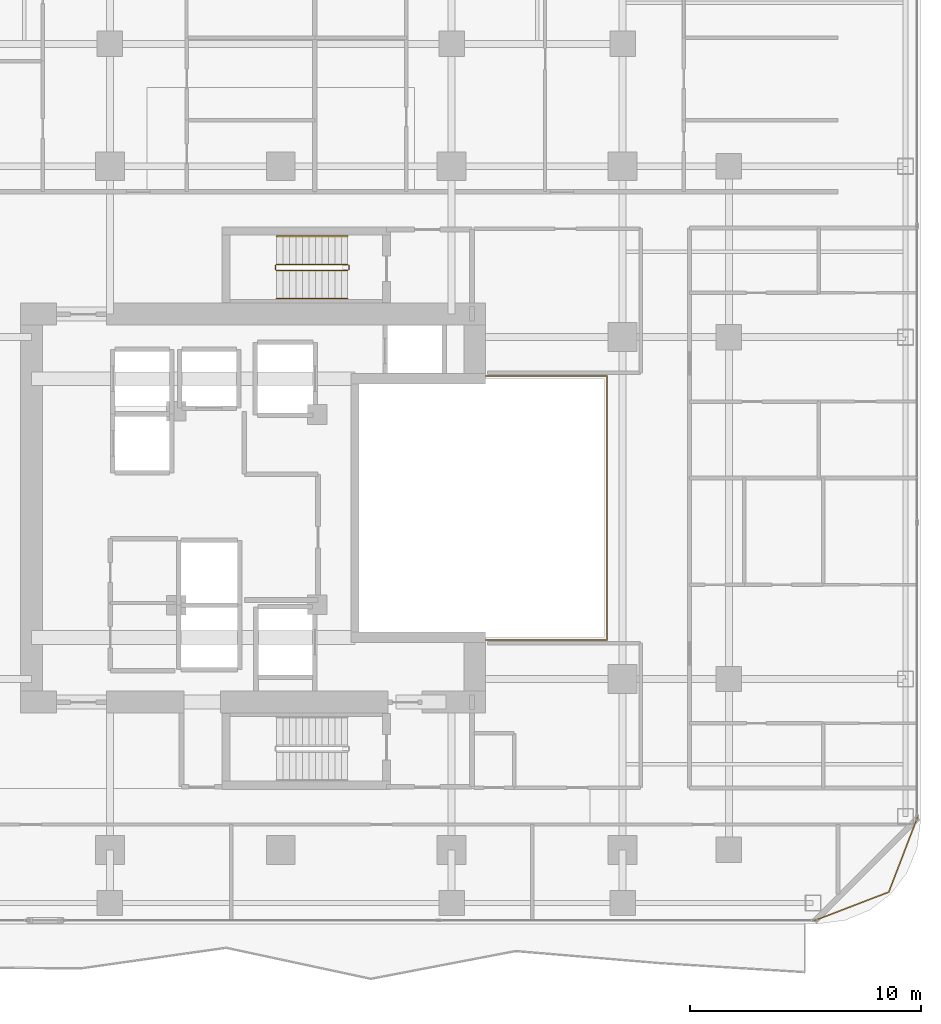
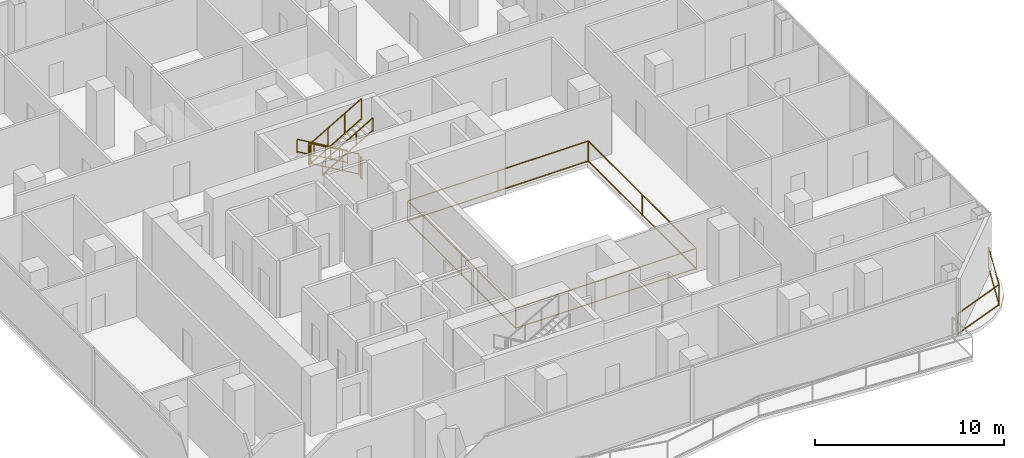
# One storey, part 26 of 27: 8 railings.
"""IFC4 building model written with IfcOpenShell, lengths in metres."""

from ifc_helpers import new_model, si_unit, direction, frame, origin, origin_2d, place, context, subcontext, project, spatial, rectangle, extrude, material, type_object, element, save


model = new_model("IFC4")

# Units and contexts
model_context = context("Model", 3, precision=1e-05, world=origin(), true_north=direction((0.0, 1.0)))
body_context = subcontext(model_context, "Body", "Model", "MODEL_VIEW")
ifc_project = project(units=[si_unit("LENGTHUNIT", "METRE"), si_unit("AREAUNIT", "SQUARE_METRE"), si_unit("VOLUMEUNIT", "CUBIC_METRE"), si_unit("PLANEANGLEUNIT", "RADIAN"), si_unit("MASSUNIT", "GRAM", prefix="KILO")], contexts=[model_context])

# Site, building, storey
site_placement = place(None, origin())
site = spatial("IfcSite", under=ifc_project, at=site_placement, CompositionType="ELEMENT")
building_placement = place(site_placement, origin())
building = spatial("IfcBuilding", under=site, at=building_placement, Name="Khorvyn Point Tower", CompositionType="ELEMENT")
storey_placement = place(building_placement, frame((0.0, 0.0, 129.0)))
storey = spatial("IfcBuildingStorey", under=building, at=storey_placement, Name="L32", CompositionType="ELEMENT", Elevation=129.0)

# Railings
ifc_material_1 = material(Name="Stainless steel 1.4401 and laminated glass", Category="steel")
railing_type_1 = type_object("IfcRailingType", Name="Crystal Atrium Smoke-Rated Perimeter Guardrail 1400", PredefinedType="GUARDRAIL", material=ifc_material_1)
railing_1_placement = place(storey_placement, frame((3.080078125, -5.719970703125, 0.0)))
element("IfcRailing", 1, at=railing_1_placement, inside=storey, type_object=railing_type_1, Name="L32 Crystal Atrium Perimeter Guardrail", PredefinedType="GUARDRAIL", context=body_context, shape_type="SweptSolid", body=[
    extrude(rectangle(XDim=0.048095703125, YDim=0.048095703125, at=origin_2d()), frame((0.0, 0.0, 1.3759765625), z_axis=(1.0, 0.0, 0.0), x_axis=(0.0, 1.0, 0.0)), (0.0, 0.0, 1.0), 11.0400390625),
    extrude(rectangle(XDim=0.048095703125, YDim=0.048095703125, at=origin_2d()), frame((0.0, 0.0, 0.080078125), z_axis=(1.0, 0.0, 0.0), x_axis=(0.0, 1.0, 0.0)), (0.0, 0.0, 1.0), 11.0400390625),
    extrude(rectangle(XDim=0.048095703125, YDim=0.048095703125, at=origin_2d()), frame((11.0400390625, 0.0, 1.3759765625), z_axis=(0.0, 1.0, 0.0), x_axis=(-1.0, 0.0, 0.0)), (0.0, 0.0, 1.0), 11.43994140625),
    extrude(rectangle(XDim=0.048095703125, YDim=0.048095703125, at=origin_2d()), frame((11.0400390625, 0.0, 0.080078125), z_axis=(0.0, 1.0, 0.0), x_axis=(-1.0, 0.0, 0.0)), (0.0, 0.0, 1.0), 11.43994140625),
    extrude(rectangle(XDim=0.048095703125, YDim=0.048095703125, at=origin_2d()), frame((11.0400390625, 11.43994140625, 1.3759765625), z_axis=(-1.0, 0.0, 0.0), x_axis=(0.0, -1.0, 0.0)), (0.0, 0.0, 1.0), 11.0400390625),
    extrude(rectangle(XDim=0.048095703125, YDim=0.048095703125, at=origin_2d()), frame((11.0400390625, 11.43994140625, 0.080078125), z_axis=(-1.0, 0.0, 0.0), x_axis=(0.0, -1.0, 0.0)), (0.0, 0.0, 1.0), 11.0400390625),
    extrude(rectangle(XDim=0.048095703125, YDim=0.048095703125, at=origin_2d()), frame((0.0, 11.43994140625, 1.3759765625), z_axis=(0.0, -1.0, 0.0), x_axis=(1.0, 0.0, 0.0)), (0.0, 0.0, 1.0), 11.409912109375),
    extrude(rectangle(XDim=0.048095703125, YDim=0.048095703125, at=origin_2d()), frame((0.0, 11.43994140625, 0.080078125), z_axis=(0.0, -1.0, 0.0), x_axis=(1.0, 0.0, 0.0)), (0.0, 0.0, 1.0), 11.409912109375),
    extrude(rectangle(XDim=0.0419921875, YDim=0.0419921875, at=origin_2d()), origin(), (0.0, 0.0, 1.0), 1.351806640625),
    extrude(rectangle(XDim=0.0419921875, YDim=0.0419921875, at=origin_2d()), frame((5.52001953125, 0.0, 0.0)), (0.0, 0.0, 1.0), 1.351806640625),
    extrude(rectangle(XDim=0.0419921875, YDim=0.0419921875, at=origin_2d()), frame((11.0400390625, 0.0, 0.0)), (0.0, 0.0, 1.0), 1.351806640625),
    extrude(rectangle(XDim=0.0419921875, YDim=0.0419921875, at=origin_2d()), frame((11.0400390625, 5.719970703125, 0.0)), (0.0, 0.0, 1.0), 1.351806640625),
    extrude(rectangle(XDim=0.0419921875, YDim=0.0419921875, at=origin_2d()), frame((11.0400390625, 11.43994140625, 0.0)), (0.0, 0.0, 1.0), 1.351806640625),
    extrude(rectangle(XDim=0.0419921875, YDim=0.0419921875, at=origin_2d()), frame((5.52001953125, 11.43994140625, 0.0)), (0.0, 0.0, 1.0), 1.351806640625),
    extrude(rectangle(XDim=0.0419921875, YDim=0.0419921875, at=origin_2d()), frame((0.0, 11.43994140625, 0.0)), (0.0, 0.0, 1.0), 1.351806640625),
    extrude(rectangle(XDim=0.0419921875, YDim=0.0419921875, at=origin_2d()), frame((0.0, 5.73486328125, 0.0)), (0.0, 0.0, 1.0), 1.351806640625),
    extrude(rectangle(XDim=0.0419921875, YDim=0.0419921875, at=origin_2d()), frame((0.0, 0.030029296875, 0.0)), (0.0, 0.0, 1.0), 1.351806640625),
])
ifc_material_2 = material(Name="Anodised aluminium 6063-T6 and laminated safety glass", Category="aluminium")
railing_type_2 = type_object("IfcRailingType", Name="Laminated Glass and Aluminium Balcony Guardrail 1400", PredefinedType="BALUSTRADE", material=ifc_material_2)
railing_2_placement = place(storey_placement, frame((23.075927734375, -17.8740234375, 0.0)))
element("IfcRailing", 2, at=railing_2_placement, inside=storey, type_object=railing_type_2, Name="L32 Rounded Corner Edge Guardrail SE", PredefinedType="BALUSTRADE", context=body_context, shape_type="SweptSolid", body=[
    extrude(rectangle(XDim=0.048095703125, YDim=0.048095703125, at=origin_2d()), frame((0.0, 0.0, 1.3759765625), z_axis=(0.933598390295, 0.358321148746, 0.0), x_axis=(-0.358321148746, 0.933598390295, 0.0)), (0.0, 0.0, 1.0), 3.481689453125),
    extrude(rectangle(XDim=0.048095703125, YDim=0.048095703125, at=origin_2d()), frame((0.0, 0.0, 0.080078125), z_axis=(0.933598390295, 0.358321148746, 0.0), x_axis=(-0.358321148746, 0.933598390295, 0.0)), (0.0, 0.0, 1.0), 3.481689453125),
    extrude(rectangle(XDim=0.048095703125, YDim=0.048095703125, at=origin_2d()), frame((3.25048828125, 1.24755859375, 1.3759765625), z_axis=(0.358382264808, 0.933574931257, 0.0), x_axis=(-0.933574931257, 0.358382264808, 0.0)), (0.0, 0.0, 1.0), 3.481689453125),
    extrude(rectangle(XDim=0.048095703125, YDim=0.048095703125, at=origin_2d()), frame((3.25048828125, 1.24755859375, 0.080078125), z_axis=(0.358382264808, 0.933574931257, 0.0), x_axis=(-0.933574931257, 0.358382264808, 0.0)), (0.0, 0.0, 1.0), 3.481689453125),
    extrude(rectangle(XDim=0.0419921875, YDim=0.0419921875, at=origin_2d()), origin(), (0.0, 0.0, 1.0), 1.351806640625),
    extrude(rectangle(XDim=0.0419921875, YDim=0.0419921875, at=origin_2d()), frame((3.25048828125, 1.24755859375, 0.0)), (0.0, 0.0, 1.0), 1.351806640625),
    extrude(rectangle(XDim=0.0419921875, YDim=0.0419921875, at=origin_2d()), frame((4.498291015625, 4.498046875, 0.0)), (0.0, 0.0, 1.0), 1.351806640625),
])
ifc_material_3 = material(Name="Stainless steel 1.4301", Category="steel")
railing_type_3 = type_object("IfcRailingType", Name="Stainless Steel 304 Stair Pitch Handrail 900", PredefinedType="HANDRAIL", material=ifc_material_3)
railing_3_placement = place(storey_placement, frame((2.89990234375, 11.77001953125, 0.16259765625)))
element("IfcRailing", 3, at=railing_3_placement, inside=storey, type_object=railing_type_3, Name="L32 ST-02 stair handrail 1", PredefinedType="HANDRAIL", context=body_context, shape_type="SweptSolid", body=[
    extrude(rectangle(XDim=0.048095703125, YDim=0.048095703125, at=origin_2d()), frame((0.0, 0.0, 0.8759765625), z_axis=(-0.864903211148, 0.0, 0.501938676878), x_axis=(0.0, -1.0, 0.0)), (0.0, 0.0, 1.0), 3.560791015625),
    extrude(rectangle(XDim=0.048095703125, YDim=0.048095703125, at=origin_2d()), frame((0.0, 0.0, 0.080078125), z_axis=(-0.864903211148, 0.0, 0.501938676878), x_axis=(0.0, -1.0, 0.0)), (0.0, 0.0, 1.0), 3.560791015625),
    extrude(rectangle(XDim=0.0419921875, YDim=0.0419921875, at=origin_2d()), origin(), (0.0, 0.0, 1.0), 0.851806640625),
    extrude(rectangle(XDim=0.0419921875, YDim=0.0419921875, at=origin_2d()), frame((-1.026611328125, 0.0, 0.595703125)), (0.0, 0.0, 1.0), 0.851806640625),
    extrude(rectangle(XDim=0.0419921875, YDim=0.0419921875, at=origin_2d()), frame((-2.05322265625, 0.0, 1.191650390625)), (0.0, 0.0, 1.0), 0.851806640625),
    extrude(rectangle(XDim=0.0419921875, YDim=0.0419921875, at=origin_2d()), frame((-3.079833984375, 0.0, 1.787353515625)), (0.0, 0.0, 1.0), 0.851806640625),
])
railing_4_placement = place(storey_placement, frame((-0.179931640625, 9.070068359375, 2.112548828125)))
element("IfcRailing", 4, at=railing_4_placement, inside=storey, type_object=railing_type_3, Name="L32 ST-02 stair handrail 2", PredefinedType="HANDRAIL", context=body_context, shape_type="SweptSolid", body=[
    extrude(rectangle(XDim=0.048095703125, YDim=0.048095703125, at=origin_2d()), frame((0.0, 0.0, 0.8759765625), z_axis=(0.864903211148, 0.0, 0.501938676878), x_axis=(0.0, 1.0, 0.0)), (0.0, 0.0, 1.0), 3.560791015625),
    extrude(rectangle(XDim=0.048095703125, YDim=0.048095703125, at=origin_2d()), frame((0.0, 0.0, 0.080078125), z_axis=(0.864903211148, 0.0, 0.501938676878), x_axis=(0.0, 1.0, 0.0)), (0.0, 0.0, 1.0), 3.560791015625),
    extrude(rectangle(XDim=0.0419921875, YDim=0.0419921875, at=origin_2d()), origin(), (0.0, 0.0, 1.0), 0.851806640625),
    extrude(rectangle(XDim=0.0419921875, YDim=0.0419921875, at=origin_2d()), frame((1.026611328125, 0.0, 0.595703125)), (0.0, 0.0, 1.0), 0.851806640625),
    extrude(rectangle(XDim=0.0419921875, YDim=0.0419921875, at=origin_2d()), frame((2.05322265625, 0.0, 1.191650390625)), (0.0, 0.0, 1.0), 0.851806640625),
    extrude(rectangle(XDim=0.0419921875, YDim=0.0419921875, at=origin_2d()), frame((3.079833984375, 0.0, 1.787353515625)), (0.0, 0.0, 1.0), 0.851806640625),
])
railing_type_4 = type_object("IfcRailingType", Name="Stainless Steel 304 Stair Well Guardrail 1400", PredefinedType="GUARDRAIL", material=ifc_material_3)
railing_5_placement = place(storey_placement, frame((2.89990234375, 10.550048828125, 0.16259765625)))
element("IfcRailing", 5, at=railing_5_placement, inside=storey, type_object=railing_type_4, Name="L32 ST-02 stair guard 1", PredefinedType="GUARDRAIL", context=body_context, shape_type="SweptSolid", body=[
    extrude(rectangle(XDim=0.048095703125, YDim=0.048095703125, at=origin_2d()), frame((0.0, 0.0, 1.3759765625), z_axis=(-0.864903211148, 0.0, 0.501938676878), x_axis=(0.0, -1.0, 0.0)), (0.0, 0.0, 1.0), 3.560791015625),
    extrude(rectangle(XDim=0.048095703125, YDim=0.048095703125, at=origin_2d()), frame((0.0, 0.0, 0.080078125), z_axis=(-0.864903211148, 0.0, 0.501938676878), x_axis=(0.0, -1.0, 0.0)), (0.0, 0.0, 1.0), 3.560791015625),
    extrude(rectangle(XDim=0.0419921875, YDim=0.0419921875, at=origin_2d()), origin(), (0.0, 0.0, 1.0), 1.351806640625),
    extrude(rectangle(XDim=0.0419921875, YDim=0.0419921875, at=origin_2d()), frame((-1.026611328125, 0.0, 0.595703125)), (0.0, 0.0, 1.0), 1.351806640625),
    extrude(rectangle(XDim=0.0419921875, YDim=0.0419921875, at=origin_2d()), frame((-2.05322265625, 0.0, 1.191650390625)), (0.0, 0.0, 1.0), 1.351806640625),
    extrude(rectangle(XDim=0.0419921875, YDim=0.0419921875, at=origin_2d()), frame((-3.079833984375, 0.0, 1.787353515625)), (0.0, 0.0, 1.0), 1.351806640625),
])
railing_6_placement = place(storey_placement, frame((-0.22998046875, 10.5, 1.949951171875)))
element("IfcRailing", 6, at=railing_6_placement, inside=storey, type_object=railing_type_4, Name="L32 ST-02 stair guard 2", PredefinedType="GUARDRAIL", context=body_context, shape_type="SweptSolid", body=[
    extrude(rectangle(XDim=0.048095703125, YDim=0.048095703125, at=origin_2d()), frame((0.0, 0.0, 1.3759765625), z_axis=(0.0, -1.0, 0.0), x_axis=(1.0, 0.0, 0.0)), (0.0, 0.0, 1.0), 0.159912109375),
    extrude(rectangle(XDim=0.048095703125, YDim=0.048095703125, at=origin_2d()), frame((0.0, 0.0, 0.080078125), z_axis=(0.0, -1.0, 0.0), x_axis=(1.0, 0.0, 0.0)), (0.0, 0.0, 1.0), 0.159912109375),
    extrude(rectangle(XDim=0.0419921875, YDim=0.0419921875, at=origin_2d()), origin(), (0.0, 0.0, 1.0), 1.351806640625),
    extrude(rectangle(XDim=0.0419921875, YDim=0.0419921875, at=origin_2d()), frame((0.0, -0.159912109375, 0.0)), (0.0, 0.0, 1.0), 1.351806640625),
])
railing_7_placement = place(storey_placement, frame((-0.179931640625, 10.2900390625, 2.112548828125)))
element("IfcRailing", 7, at=railing_7_placement, inside=storey, type_object=railing_type_4, Name="L32 ST-02 stair guard 3", PredefinedType="GUARDRAIL", context=body_context, shape_type="SweptSolid", body=[
    extrude(rectangle(XDim=0.048095703125, YDim=0.048095703125, at=origin_2d()), frame((0.0, 0.0, 1.3759765625), z_axis=(0.864903211148, 0.0, 0.501938676878), x_axis=(0.0, 1.0, 0.0)), (0.0, 0.0, 1.0), 3.560791015625),
    extrude(rectangle(XDim=0.048095703125, YDim=0.048095703125, at=origin_2d()), frame((0.0, 0.0, 0.080078125), z_axis=(0.864903211148, 0.0, 0.501938676878), x_axis=(0.0, 1.0, 0.0)), (0.0, 0.0, 1.0), 3.560791015625),
    extrude(rectangle(XDim=0.0419921875, YDim=0.0419921875, at=origin_2d()), origin(), (0.0, 0.0, 1.0), 1.351806640625),
    extrude(rectangle(XDim=0.0419921875, YDim=0.0419921875, at=origin_2d()), frame((1.026611328125, 0.0, 0.595703125)), (0.0, 0.0, 1.0), 1.351806640625),
    extrude(rectangle(XDim=0.0419921875, YDim=0.0419921875, at=origin_2d()), frame((2.05322265625, 0.0, 1.191650390625)), (0.0, 0.0, 1.0), 1.351806640625),
    extrude(rectangle(XDim=0.0419921875, YDim=0.0419921875, at=origin_2d()), frame((3.079833984375, 0.0, 1.787353515625)), (0.0, 0.0, 1.0), 1.351806640625),
])
railing_8_placement = place(storey_placement, frame((2.949951171875, 10.5, 0.0)))
element("IfcRailing", 8, at=railing_8_placement, inside=storey, type_object=railing_type_4, Name="L32 ST-02 stair guard 4", PredefinedType="GUARDRAIL", context=body_context, shape_type="SweptSolid", body=[
    extrude(rectangle(XDim=0.048095703125, YDim=0.048095703125, at=origin_2d()), frame((0.0, 0.0, 1.3759765625), z_axis=(0.0, -1.0, 0.0), x_axis=(1.0, 0.0, 0.0)), (0.0, 0.0, 1.0), 0.159912109375),
    extrude(rectangle(XDim=0.048095703125, YDim=0.048095703125, at=origin_2d()), frame((0.0, 0.0, 0.080078125), z_axis=(0.0, -1.0, 0.0), x_axis=(1.0, 0.0, 0.0)), (0.0, 0.0, 1.0), 0.159912109375),
    extrude(rectangle(XDim=0.0419921875, YDim=0.0419921875, at=origin_2d()), origin(), (0.0, 0.0, 1.0), 1.351806640625),
    extrude(rectangle(XDim=0.0419921875, YDim=0.0419921875, at=origin_2d()), frame((0.0, -0.159912109375, 0.0)), (0.0, 0.0, 1.0), 1.351806640625),
])

save(model, "model.ifc")
